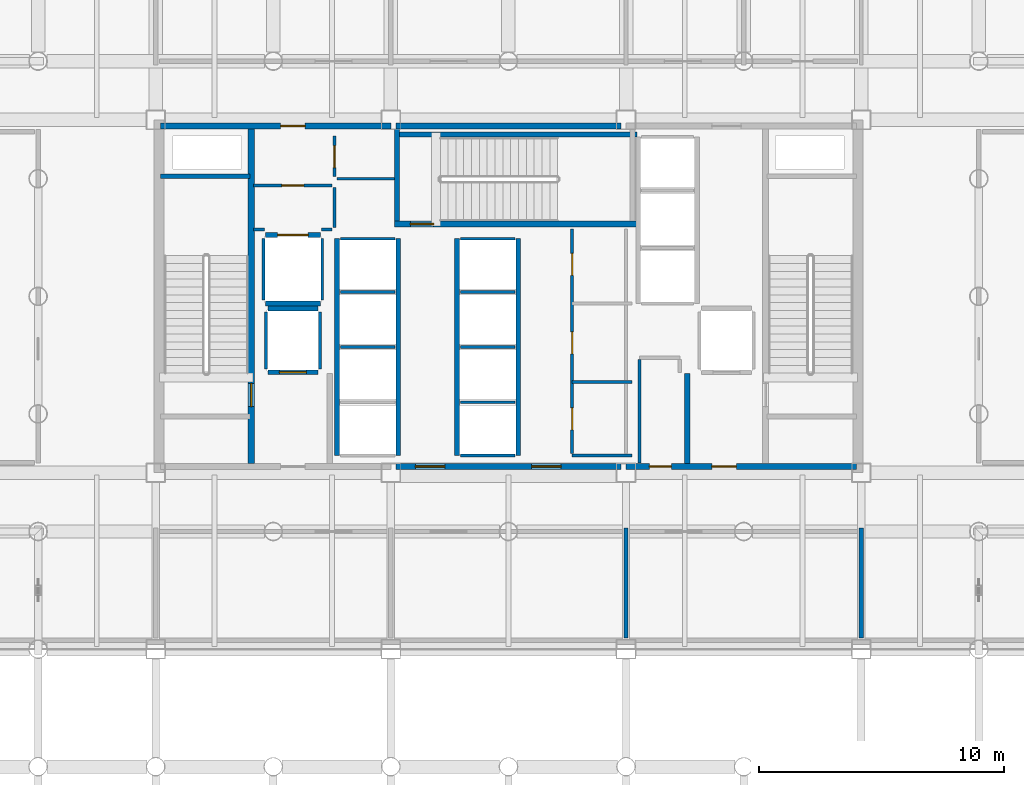
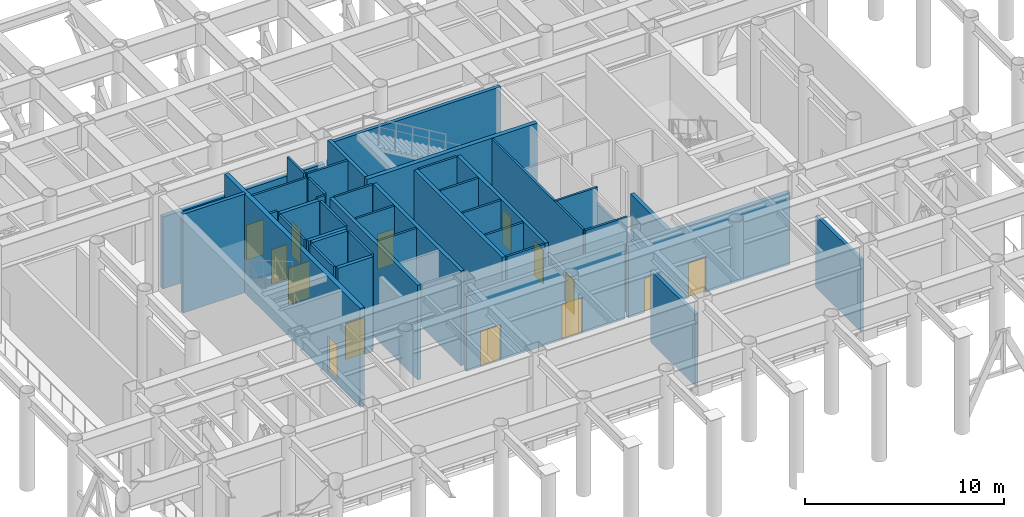
# One storey, part 13 of 19: 42 walls, 14 doors, 14 openings.
"""IFC4 building model written with IfcOpenShell, lengths in metres."""

from ifc_helpers import new_model, si_unit, direction, frame, frame_2d, origin, place, context, subcontext, project, spatial, rectangle, extrude, material, layer, layer_set, type_object, element, fill, save


model = new_model("IFC4")

# Units and contexts
model_context = context("Model", 3, precision=1e-05, world=origin(), true_north=direction((0.0, 1.0)))
body_context = subcontext(model_context, "Body", "Model", "MODEL_VIEW")
ifc_project = project(units=[si_unit("LENGTHUNIT", "METRE"), si_unit("AREAUNIT", "SQUARE_METRE"), si_unit("VOLUMEUNIT", "CUBIC_METRE"), si_unit("PLANEANGLEUNIT", "RADIAN"), si_unit("MASSUNIT", "GRAM", prefix="KILO")], contexts=[model_context])

# Site, building, storey
site_placement = place(None, origin())
site = spatial("IfcSite", under=ifc_project, at=site_placement, CompositionType="ELEMENT")
building_placement = place(site_placement, origin())
building = spatial("IfcBuilding", under=site, at=building_placement, Name="Kallvorn Hotel Tower", CompositionType="ELEMENT")
storey_placement = place(building_placement, frame((0.0, 0.0, 89.199951171875)))
storey = spatial("IfcBuildingStorey", under=building, at=storey_placement, Name="L21", CompositionType="ELEMENT", Elevation=89.199951171875)

# Walls
ifc_material_1 = material(Name="Fire-rated double-layer acoustic gypsum drywall EI 60")
ifc_layer_1 = layer(ifc_material_1, 0.179931640625)
ifc_layer_set_1 = layer_set([ifc_layer_1], Name="WL_CORR_180")
wall_type_1 = type_object("IfcWallType", Name="WL_CORR_180", PredefinedType="PARTITIONING", material=ifc_layer_set_1)
for number, where, z_axis, x_axis, name in (
    (1, (4.800048828125, -13.945068359375, 0.0), (0.0, 0.0, 1.0), (0.0, 1.0, 0.0), "L21 L21 Air Handling and Ventilation Fan Plant Partition"),
    (2, (14.39990234375, -13.945068359375, 0.0), (0.0, 0.0, 1.0), (0.0, 1.0, 0.0), "L21 L21 Chilled-Water Heat Exchanger Plant Partition"),
):
    element("IfcWall", number, at=place(storey_placement, frame(where, z_axis=z_axis, x_axis=x_axis)), inside=storey, type_object=wall_type_1, Name=name, PredefinedType="PARTITIONING", context=body_context, shape_type="SweptSolid", body=[
        extrude(rectangle(XDim=4.4951171875, YDim=0.179931640625, at=frame_2d((2.24755859375, 0.0))), origin(), (0.0, 0.0, 1.0), 4.420166015625),
    ])
ifc_material_2 = material(Name="Concrete C40/50", Category="concrete")
ifc_layer_2 = layer(ifc_material_2, 0.219970703125)
ifc_layer_set_2 = layer_set([ifc_layer_2], Name="WL_FFL_220")
wall_type_2 = type_object("IfcWallType", Name="WL_FFL_220", PredefinedType="SOLIDWALL", material=ifc_layer_set_2)
wall_1_placement = place(storey_placement, frame((7.300048828125, -6.820068359375, 0.0), z_axis=(0.0, 0.0, 1.0), x_axis=(0.0, 1.0, 0.0)))
element("IfcWall", 3, at=wall_1_placement, inside=storey, type_object=wall_type_2, Name="L21 Firefighting Lobby East Divider Wall", PredefinedType="SOLIDWALL", context=body_context, shape_type="SweptSolid", body=[
    extrude(rectangle(XDim=3.670166015625, YDim=0.219970703125, at=frame_2d((1.8349609375, 0.0))), origin(), (0.0, 0.0, 1.0), 4.420166015625),
])
ifc_material_3 = material(Name="Concrete C40/50", Category="concrete")
ifc_layer_3 = layer(ifc_material_3, 0.199951171875)
ifc_layer_set_3 = layer_set([ifc_layer_3], Name="WL_HOIST_200")
wall_type_3 = type_object("IfcWallType", Name="WL_HOIST_200", PredefinedType="SOLIDWALL", material=ifc_layer_set_3)
wall_2_placement = place(storey_placement, frame((-14.199951171875, 4.89990234375, -0.25), z_axis=(0.0, 0.0, 1.0), x_axis=(1.0, 0.0, 0.0)))
element("IfcWall", 4, at=wall_2_placement, inside=storey, type_object=wall_type_3, Name="L21 Stair ST1 North Wall", PredefinedType="SOLIDWALL", context=body_context, shape_type="SweptSolid", body=[
    extrude(rectangle(XDim=3.64990234375, YDim=0.199951171875, at=frame_2d((1.824951171875, 0.0))), origin(), (0.0, 0.0, 1.0), 6.070068359375),
])
wall_3_placement = place(storey_placement, frame((-4.64990234375, 6.610107421875, -0.25), z_axis=(0.0, 0.0, 1.0), x_axis=(1.0, 0.0, 0.0)))
element("IfcWall", 5, at=wall_3_placement, inside=storey, type_object=wall_type_3, Name="L21 Stair ST3 Shaft North Wall", PredefinedType="SOLIDWALL", context=body_context, shape_type="SweptSolid", body=[
    extrude(rectangle(XDim=9.89990234375, YDim=0.199951171875, at=frame_2d((4.949951171875, 0.0))), origin(), (0.0, 0.0, 1.0), 6.070068359375),
])
wall_4_placement = place(storey_placement, frame((-4.550048828125, 3.080078125, -0.25), z_axis=(0.0, 0.0, 1.0), x_axis=(0.0, 1.0, 0.0)))
element("IfcWall", 6, at=wall_4_placement, inside=storey, type_object=wall_type_3, Name="L21 Stair ST3 West Wall", PredefinedType="SOLIDWALL", context=body_context, shape_type="SweptSolid", body=[
    extrude(rectangle(XDim=3.739990234375, YDim=0.199951171875, at=frame_2d((1.8701171875, 0.0))), origin(), (0.0, 0.0, 1.0), 6.070068359375),
])
for number, where, z_axis, x_axis, name in (
    (7, (-4.5, -6.5, 0.0), (0.0, 0.0, 1.0), (0.0, 1.0, 0.0), "L21 Lift Bank B1 Landing Wall"),
    (8, (-7.0, -6.5, 0.0), (0.0, 0.0, 1.0), (0.0, 1.0, 0.0), "L21 Lift Bank B1 Rear Shaft Wall"),
    (9, (-2.10009765625, -6.5, 0.0), (0.0, 0.0, 1.0), (0.0, 1.0, 0.0), "L21 Lift Bank B2 Landing Wall"),
    (10, (0.39990234375, -6.5, 0.0), (0.0, 0.0, 1.0), (0.0, 1.0, 0.0), "L21 Lift Bank B2 Rear Shaft Wall"),
):
    element("IfcWall", number, at=place(storey_placement, frame(where, z_axis=z_axis, x_axis=x_axis)), inside=storey, type_object=wall_type_3, Name=name, PredefinedType="SOLIDWALL", context=body_context, shape_type="SweptSolid", body=[
        extrude(rectangle(XDim=8.85009765625, YDim=0.199951171875, at=frame_2d((4.425048828125, 0.0))), origin(), (0.0, 0.0, 1.0), 5.820068359375),
    ])

# Wall, opening, door
wall_5_placement = place(storey_placement, frame((-9.820068359375, -3.10009765625, 0.0), z_axis=(0.0, 0.0, 1.0), x_axis=(1.0, 0.0, 0.0)))
wall_5 = element("IfcWall", 11, at=wall_5_placement, inside=storey, type_object=wall_type_3, Name="L21 FL-1 Landing Wall", PredefinedType="SOLIDWALL", context=body_context, shape_type="SweptSolid", body=[
    extrude(rectangle(XDim=2.0400390625, YDim=0.199951171875, at=frame_2d((1.02001953125, 0.0))), origin(), (0.0, 0.0, 1.0), 5.820068359375),
])
opening_1_placement = place(wall_5_placement, frame((0.469970703125, 0.0, 0.0)))
opening_1 = element("IfcOpeningElement", 12, at=opening_1_placement, cuts=wall_5, Name="Opening LD-FL-1", PredefinedType="OPENING", context=body_context, shape_type="SweptSolid", body=[
    extrude(rectangle(XDim=1.10009765625, YDim=2.199951171875, at=frame_2d((0.550048828125, 1.10009765625))), frame((0.0, 0.114990234375, 0.0), z_axis=(0.0, -1.0, 0.0), x_axis=(1.0, 0.0, 0.0)), (0.0, 0.0, 1.0), 0.22998046875),
])
ifc_material_4 = material(Name="Brushed stainless-steel automatic sliding lift landing door", Category="steel")
door_type_1 = type_object("IfcDoorType", Name="LD_PASS_1100x2200", OperationType="SLIDING_TO_LEFT", PredefinedType="DOOR", material=ifc_material_4)
door_1_placement = place(opening_1_placement, origin())
door_1 = element("IfcDoor", 13, at=door_1_placement, inside=storey, type_object=door_type_1, Name="L21 Lift Landing Sliding Door LD-FL-1", OperationType="SLIDING_TO_LEFT", OverallHeight=2.199951171875, OverallWidth=1.10009765625, PredefinedType="DOOR", context=body_context, shape_type="SweptSolid", body=[
    extrude(rectangle(XDim=1.10009765625, YDim=2.199951171875, at=frame_2d((0.550048828125, 1.10009765625))), frame((0.0, 0.02490234375, 0.0), z_axis=(0.0, -1.0, 0.0), x_axis=(1.0, 0.0, 0.0)), (0.0, 0.0, 1.0), 0.050048828125),
])
fill(opening_1, door_1)

# Wall
wall_6_placement = place(storey_placement, frame((-9.820068359375, -0.5, 0.0), z_axis=(0.0, 0.0, 1.0), x_axis=(1.0, 0.0, 0.0)))
element("IfcWall", 14, at=wall_6_placement, inside=storey, type_object=wall_type_3, Name="L21 FL-1 Rear Shaft Wall", PredefinedType="SOLIDWALL", context=body_context, shape_type="SweptSolid", body=[
    extrude(rectangle(XDim=2.0400390625, YDim=0.199951171875, at=frame_2d((1.02001953125, 0.0))), origin(), (0.0, 0.0, 1.0), 5.820068359375),
])

# Wall, opening, door
wall_7_placement = place(storey_placement, frame((-9.919921875, 2.5, 0.0), z_axis=(0.0, 0.0, 1.0), x_axis=(1.0, 0.0, 0.0)))
wall_7 = element("IfcWall", 15, at=wall_7_placement, inside=storey, type_object=wall_type_3, Name="L21 SV-01 Landing Wall", PredefinedType="SOLIDWALL", context=body_context, shape_type="SweptSolid", body=[
    extrude(rectangle(XDim=2.239990234375, YDim=0.199951171875, at=frame_2d((1.1201171875, 0.0))), origin(), (0.0, 0.0, 1.0), 5.820068359375),
])
opening_2_placement = place(wall_7_placement, frame((0.4951171875, 0.0, 0.0)))
opening_2 = element("IfcOpeningElement", 16, at=opening_2_placement, cuts=wall_7, Name="Opening LD-SV-01", PredefinedType="OPENING", context=body_context, shape_type="SweptSolid", body=[
    extrude(rectangle(XDim=1.25, YDim=2.25, at=frame_2d((0.625, 1.125))), frame((0.0, 0.114990234375, 0.0), z_axis=(0.0, -1.0, 0.0), x_axis=(1.0, 0.0, 0.0)), (0.0, 0.0, 1.0), 0.22998046875),
])
ifc_material_5 = material(Name="Brushed stainless-steel automatic sliding lift landing door", Category="steel")
door_type_2 = type_object("IfcDoorType", Name="LD_SERV_1250x2250", OperationType="SLIDING_TO_LEFT", PredefinedType="DOOR", material=ifc_material_5)
door_2_placement = place(opening_2_placement, origin())
door_2 = element("IfcDoor", 17, at=door_2_placement, inside=storey, type_object=door_type_2, Name="L21 Lift Landing Sliding Door LD-SV-01", OperationType="SLIDING_TO_LEFT", OverallHeight=2.25, OverallWidth=1.25, PredefinedType="DOOR", context=body_context, shape_type="SweptSolid", body=[
    extrude(rectangle(XDim=1.25, YDim=2.25, at=frame_2d((0.625, 1.125))), frame((0.0, 0.02490234375, 0.0), z_axis=(0.0, -1.0, 0.0), x_axis=(1.0, 0.0, 0.0)), (0.0, 0.0, 1.0), 0.050048828125),
])
fill(opening_2, door_2)

# Walls
wall_8_placement = place(storey_placement, frame((-9.919921875, -0.300048828125, 0.0), z_axis=(0.0, 0.0, 1.0), x_axis=(1.0, 0.0, 0.0)))
element("IfcWall", 18, at=wall_8_placement, inside=storey, type_object=wall_type_3, Name="L21 SV-01 Rear Shaft Wall", PredefinedType="SOLIDWALL", context=body_context, shape_type="SweptSolid", body=[
    extrude(rectangle(XDim=2.239990234375, YDim=0.199951171875, at=frame_2d((1.1201171875, 0.0))), origin(), (0.0, 0.0, 1.0), 5.820068359375),
])
ifc_material_6 = material(Name="Fire-rated double-layer acoustic gypsum drywall EI 60")
ifc_layer_4 = layer(ifc_material_6, 0.1201171875)
ifc_layer_set_4 = layer_set([ifc_layer_4], Name="WL_INT_120")
wall_type_4 = type_object("IfcWallType", Name="WL_INT_120", PredefinedType="PARTITIONING", material=ifc_layer_set_4)
for number, where, z_axis, x_axis, name in (
    (19, (-6.860107421875, -2.074951171875, 0.0), (0.0, 0.0, 1.0), (1.0, 0.0, 0.0), "L21 PL-02 Hoistway Divider"),
    (20, (-6.860107421875, 0.175048828125, 0.0), (0.0, 0.0, 1.0), (1.0, 0.0, 0.0), "L21 PL-03 Hoistway Divider"),
    (21, (-6.860107421875, 2.35009765625, 0.0), (0.0, 0.0, 1.0), (1.0, 0.0, 0.0), "L21 PL-04 Hoistway Divider"),
):
    element("IfcWall", number, at=place(storey_placement, frame(where, z_axis=z_axis, x_axis=x_axis)), inside=storey, type_object=wall_type_4, Name=name, PredefinedType="PARTITIONING", context=body_context, shape_type="SweptSolid", body=[
        extrude(rectangle(XDim=2.22021484375, YDim=0.1201171875, at=frame_2d((1.110107421875, 0.0))), origin(), (0.0, 0.0, 1.0), 5.820068359375),
    ])
for number, where, z_axis, x_axis, name in (
    (22, (-1.9599609375, -6.5, 0.0), (0.0, 0.0, 1.0), (1.0, 0.0, 0.0), "L21 Lift Bank B2 South Closure Wall"),
    (23, (-1.9599609375, -4.324951171875, 0.0), (0.0, 0.0, 1.0), (1.0, 0.0, 0.0), "L21 PL-05 Hoistway Divider"),
    (24, (-1.9599609375, -2.074951171875, 0.0), (0.0, 0.0, 1.0), (1.0, 0.0, 0.0), "L21 PL-06 Hoistway Divider"),
    (25, (-1.9599609375, 0.175048828125, 0.0), (0.0, 0.0, 1.0), (1.0, 0.0, 0.0), "L21 PL-07 Hoistway Divider"),
    (26, (-1.9599609375, 2.35009765625, 0.0), (0.0, 0.0, 1.0), (1.0, 0.0, 0.0), "L21 PL-08 Hoistway Divider"),
):
    element("IfcWall", number, at=place(storey_placement, frame(where, z_axis=z_axis, x_axis=x_axis)), inside=storey, type_object=wall_type_4, Name=name, PredefinedType="PARTITIONING", context=body_context, shape_type="SweptSolid", body=[
        extrude(rectangle(XDim=2.219970703125, YDim=0.1201171875, at=frame_2d((1.10986328125, 0.0))), origin(), (0.0, 0.0, 1.0), 5.820068359375),
    ])
for number, where, z_axis, x_axis, name in (
    (27, (-9.89990234375, -2.9599609375, 0.0), (0.0, 0.0, 1.0), (0.0, 1.0, 0.0), "L21 FL-1 West Shaft Wall"),
    (28, (-7.699951171875, -2.9599609375, 0.0), (0.0, 0.0, 1.0), (0.0, 1.0, 0.0), "L21 FL-1 East Shaft Wall"),
):
    element("IfcWall", number, at=place(storey_placement, frame(where, z_axis=z_axis, x_axis=x_axis)), inside=storey, type_object=wall_type_4, Name=name, PredefinedType="PARTITIONING", context=body_context, shape_type="SweptSolid", body=[
        extrude(rectangle(XDim=2.320068359375, YDim=0.1201171875, at=frame_2d((1.16015625, 0.0))), origin(), (0.0, 0.0, 1.0), 5.820068359375),
    ])
for number, where, z_axis, x_axis, name in (
    (29, (-10.0, -0.159912109375, 0.0), (0.0, 0.0, 1.0), (0.0, 1.0, 0.0), "L21 SV-01 West Shaft Wall"),
    (30, (-7.60009765625, -0.159912109375, 0.0), (0.0, 0.0, 1.0), (0.0, 1.0, 0.0), "L21 SV-01 East Shaft Wall"),
):
    element("IfcWall", number, at=place(storey_placement, frame(where, z_axis=z_axis, x_axis=x_axis)), inside=storey, type_object=wall_type_4, Name=name, PredefinedType="PARTITIONING", context=body_context, shape_type="SweptSolid", body=[
        extrude(rectangle(XDim=2.52001953125, YDim=0.1201171875, at=frame_2d((1.260009765625, 0.0))), origin(), (0.0, 0.0, 1.0), 5.820068359375),
    ])
for number, where, z_axis, x_axis, name in (
    (31, (2.60009765625, -6.5, 0.0), (0.0, 0.0, 1.0), (1.0, 0.0, 0.0), "L21 East Core Minibar Store Partition"),
    (32, (2.60009765625, -3.5, 0.0), (0.0, 0.0, 1.0), (1.0, 0.0, 0.0), "L21 East Core Housekeeping Supply Closet Partition"),
):
    element("IfcWall", number, at=place(storey_placement, frame(where, z_axis=z_axis, x_axis=x_axis)), inside=storey, type_object=wall_type_4, Name=name, PredefinedType="PARTITIONING", context=body_context, shape_type="SweptSolid", body=[
        extrude(rectangle(XDim=2.449951171875, YDim=0.1201171875, at=frame_2d((1.22509765625, 0.0))), origin(), (0.0, 0.0, 1.0), 5.820068359375),
    ])
for number, where, z_axis, x_axis, name in (
    (33, (-10.39990234375, 2.72509765625, 0.0), (0.0, 0.0, 1.0), (1.0, 0.0, 0.0), "L21 Core Telecom and Metering Store Partition"),
    (34, (-7.639892578125, 2.72509765625, 0.0), (0.0, 0.0, 1.0), (1.0, 0.0, 0.0), "L21 Core Telecom and Metering Store Partition"),
):
    element("IfcWall", number, at=place(storey_placement, frame(where, z_axis=z_axis, x_axis=x_axis)), inside=storey, type_object=wall_type_4, Name=name, PredefinedType="PARTITIONING", context=body_context, shape_type="SweptSolid", body=[
        extrude(rectangle(XDim=0.43994140625, YDim=0.1201171875, at=frame_2d((0.219970703125, 0.0))), origin(), (0.0, 0.0, 1.0), 5.820068359375),
    ])

# Wall, opening, door
wall_9_placement = place(storey_placement, frame((-10.39990234375, 4.52001953125, 0.0), z_axis=(0.0, 0.0, 1.0), x_axis=(1.0, 0.0, 0.0)))
wall_9 = element("IfcWall", 35, at=wall_9_placement, inside=storey, type_object=wall_type_4, Name="L21 Core Telecom and Metering Store Partition", PredefinedType="PARTITIONING", context=body_context, shape_type="SweptSolid", body=[
    extrude(rectangle(XDim=3.199951171875, YDim=0.1201171875, at=frame_2d((1.60009765625, 0.0))), origin(), (0.0, 0.0, 1.0), 5.820068359375),
])
opening_3_placement = place(wall_9_placement, frame((1.14990234375, 0.0, 0.0)))
opening_3 = element("IfcOpeningElement", 36, at=opening_3_placement, cuts=wall_9, Name="Opening SVD1", PredefinedType="OPENING", context=body_context, shape_type="SweptSolid", body=[
    extrude(rectangle(XDim=0.89990234375, YDim=2.10009765625, at=frame_2d((0.449951171875, 1.050048828125))), frame((0.0, 0.074951171875, 0.0), z_axis=(0.0, -1.0, 0.0), x_axis=(1.0, 0.0, 0.0)), (0.0, 0.0, 1.0), 0.150146484375),
])
ifc_material_7 = material(Name="Galvanised painted steel fire-rated door assembly", Category="steel")
door_type_3 = type_object("IfcDoorType", Name="DR_SERV_900x2100", OperationType="NOTDEFINED", PredefinedType="DOOR", material=ifc_material_7)
door_3_placement = place(opening_3_placement, origin())
door_3 = element("IfcDoor", 37, at=door_3_placement, inside=storey, type_object=door_type_3, Name="L21 Core Telecom and Metering Store Door", OperationType="SINGLE_SWING_RIGHT", OverallHeight=2.10009765625, OverallWidth=0.89990234375, PredefinedType="DOOR", context=body_context, shape_type="SweptSolid", body=[
    extrude(rectangle(XDim=0.89990234375, YDim=2.10009765625, at=frame_2d((0.449951171875, 1.050048828125))), frame((0.0, 0.02490234375, 0.0), z_axis=(0.0, -1.0, 0.0), x_axis=(1.0, 0.0, 0.0)), (0.0, 0.0, 1.0), 0.050048828125),
])
fill(opening_3, door_3)

# Walls
wall_10_placement = place(storey_placement, frame((-7.0, 4.800048828125, 0.0), z_axis=(0.0, 0.0, 1.0), x_axis=(1.0, 0.0, 0.0)))
element("IfcWall", 38, at=wall_10_placement, inside=storey, type_object=wall_type_4, Name="L21 Core Room Service Staging Pantry Partition", PredefinedType="PARTITIONING", context=body_context, shape_type="SweptSolid", body=[
    extrude(rectangle(XDim=2.35009765625, YDim=0.1201171875, at=frame_2d((1.175048828125, 0.0))), origin(), (0.0, 0.0, 1.0), 5.820068359375),
])
wall_11_placement = place(storey_placement, frame((-7.10009765625, 2.81005859375, 0.0), z_axis=(0.0, 0.0, 1.0), x_axis=(0.0, 1.0, 0.0)))
element("IfcWall", 39, at=wall_11_placement, inside=storey, type_object=wall_type_4, Name="L21 Core Telecom and Metering Store Partition", PredefinedType="PARTITIONING", context=body_context, shape_type="SweptSolid", body=[
    extrude(rectangle(XDim=1.625, YDim=0.1201171875, at=frame_2d((0.8125, 0.0))), origin(), (0.0, 0.0, 1.0), 5.820068359375),
])

# Wall, opening, door
wall_12_placement = place(storey_placement, frame((-7.10009765625, 4.89990234375, 0.0), z_axis=(0.0, 0.0, 1.0), x_axis=(0.0, 1.0, 0.0)))
wall_12 = element("IfcWall", 40, at=wall_12_placement, inside=storey, type_object=wall_type_4, Name="L21 Core Room Service Staging Pantry Partition", PredefinedType="PARTITIONING", context=body_context, shape_type="SweptSolid", body=[
    extrude(rectangle(XDim=1.650146484375, YDim=0.1201171875, at=frame_2d((0.8251953125, 0.0))), origin(), (0.0, 0.0, 1.0), 5.820068359375),
])
opening_4_placement = place(wall_12_placement, frame((0.35009765625, 0.0, 0.0)))
opening_4 = element("IfcOpeningElement", 41, at=opening_4_placement, cuts=wall_12, Name="Opening SVD1", PredefinedType="OPENING", context=body_context, shape_type="SweptSolid", body=[
    extrude(rectangle(XDim=0.89990234375, YDim=2.10009765625, at=frame_2d((0.449951171875, 1.050048828125))), frame((0.0, 0.074951171875, 0.0), z_axis=(0.0, -1.0, 0.0), x_axis=(1.0, 0.0, 0.0)), (0.0, 0.0, 1.0), 0.150146484375),
])
door_4_placement = place(opening_4_placement, origin())
door_4 = element("IfcDoor", 42, at=door_4_placement, inside=storey, type_object=door_type_3, Name="L21 Core Room Service Staging Pantry Door", OperationType="SINGLE_SWING_RIGHT", OverallHeight=2.10009765625, OverallWidth=0.89990234375, PredefinedType="DOOR", context=body_context, shape_type="SweptSolid", body=[
    extrude(rectangle(XDim=0.89990234375, YDim=2.10009765625, at=frame_2d((0.449951171875, 1.050048828125))), frame((0.0, 0.02490234375, 0.0), z_axis=(0.0, -1.0, 0.0), x_axis=(1.0, 0.0, 0.0)), (0.0, 0.0, 1.0), 0.050048828125),
])
fill(opening_4, door_4)

# Wall, openings, doors
wall_13_placement = place(storey_placement, frame((2.60009765625, -6.4150390625, 0.0), z_axis=(0.0, 0.0, 1.0), x_axis=(0.0, 1.0, 0.0)))
wall_13 = element("IfcWall", 43, at=wall_13_placement, inside=storey, type_object=wall_type_4, Name="L21 East Core Minibar Store Partition", PredefinedType="PARTITIONING", context=body_context, shape_type="SweptSolid", body=[
    extrude(rectangle(XDim=9.1650390625, YDim=0.1201171875, at=frame_2d((4.58251953125, 0.0))), origin(), (0.0, 0.0, 1.0), 5.820068359375),
])
opening_5_placement = place(wall_13_placement, frame((0.965087890625, 0.0, 0.0)))
opening_5 = element("IfcOpeningElement", 44, at=opening_5_placement, cuts=wall_13, Name="Opening SVD1", PredefinedType="OPENING", context=body_context, shape_type="SweptSolid", body=[
    extrude(rectangle(XDim=0.89990234375, YDim=2.10009765625, at=frame_2d((0.449951171875, 1.050048828125))), frame((0.0, 0.074951171875, 0.0), z_axis=(0.0, -1.0, 0.0), x_axis=(1.0, 0.0, 0.0)), (0.0, 0.0, 1.0), 0.150146484375),
])
opening_6_placement = place(wall_13_placement, frame((4.06494140625, 0.0, 0.0)))
opening_6 = element("IfcOpeningElement", 45, at=opening_6_placement, cuts=wall_13, Name="Opening SVD1", PredefinedType="OPENING", context=body_context, shape_type="SweptSolid", body=[
    extrude(rectangle(XDim=0.89990234375, YDim=2.10009765625, at=frame_2d((0.449951171875, 1.050048828125))), frame((0.0, 0.074951171875, 0.0), z_axis=(0.0, -1.0, 0.0), x_axis=(1.0, 0.0, 0.0)), (0.0, 0.0, 1.0), 0.150146484375),
])
opening_7_placement = place(wall_13_placement, frame((7.264892578125, 0.0, 0.0)))
opening_7 = element("IfcOpeningElement", 46, at=opening_7_placement, cuts=wall_13, Name="Opening SVD1", PredefinedType="OPENING", context=body_context, shape_type="SweptSolid", body=[
    extrude(rectangle(XDim=0.89990234375, YDim=2.10009765625, at=frame_2d((0.449951171875, 1.050048828125))), frame((0.0, 0.074951171875, 0.0), z_axis=(0.0, -1.0, 0.0), x_axis=(1.0, 0.0, 0.0)), (0.0, 0.0, 1.0), 0.150146484375),
])
door_5_placement = place(opening_5_placement, origin())
door_5 = element("IfcDoor", 47, at=door_5_placement, inside=storey, type_object=door_type_3, Name="L21 East Core Minibar Store Door", OperationType="SINGLE_SWING_LEFT", OverallHeight=2.10009765625, OverallWidth=0.89990234375, PredefinedType="DOOR", context=body_context, shape_type="SweptSolid", body=[
    extrude(rectangle(XDim=0.89990234375, YDim=2.10009765625, at=frame_2d((0.449951171875, 1.050048828125))), frame((0.0, 0.02490234375, 0.0), z_axis=(0.0, -1.0, 0.0), x_axis=(1.0, 0.0, 0.0)), (0.0, 0.0, 1.0), 0.050048828125),
])
fill(opening_5, door_5)
door_6_placement = place(opening_6_placement, origin())
door_6 = element("IfcDoor", 48, at=door_6_placement, inside=storey, type_object=door_type_3, Name="L21 East Core Housekeeping Supply Closet Door", OperationType="SINGLE_SWING_LEFT", OverallHeight=2.10009765625, OverallWidth=0.89990234375, PredefinedType="DOOR", context=body_context, shape_type="SweptSolid", body=[
    extrude(rectangle(XDim=0.89990234375, YDim=2.10009765625, at=frame_2d((0.449951171875, 1.050048828125))), frame((0.0, 0.02490234375, 0.0), z_axis=(0.0, -1.0, 0.0), x_axis=(1.0, 0.0, 0.0)), (0.0, 0.0, 1.0), 0.050048828125),
])
fill(opening_6, door_6)
door_7_placement = place(opening_7_placement, origin())
door_7 = element("IfcDoor", 49, at=door_7_placement, inside=storey, type_object=door_type_3, Name="L21 East Core Cleaners Room Door", OperationType="SINGLE_SWING_LEFT", OverallHeight=2.10009765625, OverallWidth=0.89990234375, PredefinedType="DOOR", context=body_context, shape_type="SweptSolid", body=[
    extrude(rectangle(XDim=0.89990234375, YDim=2.10009765625, at=frame_2d((0.449951171875, 1.050048828125))), frame((0.0, 0.02490234375, 0.0), z_axis=(0.0, -1.0, 0.0), x_axis=(1.0, 0.0, 0.0)), (0.0, 0.0, 1.0), 0.050048828125),
])
fill(opening_7, door_7)

# Wall
ifc_material_8 = material(Name="Moisture-resistant acoustic plumbing chase wall EI 60")
ifc_layer_5 = layer(ifc_material_8, 0.139892578125)
ifc_layer_set_5 = layer_set([ifc_layer_5], Name="WL_PLUMB_140")
wall_type_5 = type_object("IfcWallType", Name="WL_PLUMB_140", PredefinedType="PLUMBINGWALL", material=ifc_layer_set_5)
wall_14_placement = place(storey_placement, frame((5.35009765625, -6.800048828125, 0.0), z_axis=(0.0, 0.0, 1.0), x_axis=(0.0, 1.0, 0.0)))
element("IfcWall", 50, at=wall_14_placement, inside=storey, type_object=wall_type_5, Name="L21 Core Accessible Staff WC Partition", PredefinedType="PLUMBINGWALL", context=body_context, shape_type="SweptSolid", body=[
    extrude(rectangle(XDim=4.215087890625, YDim=0.139892578125, at=frame_2d((2.107421875, 0.0))), origin(), (0.0, 0.0, 1.0), 4.420166015625),
])

# Wall, openings, doors
ifc_material_9 = material(Name="Concrete C40/50", Category="concrete")
ifc_layer_6 = layer(ifc_material_9, 0.25)
ifc_layer_set_6 = layer_set([ifc_layer_6], Name="WL_SHAFT_250")
wall_type_6 = type_object("IfcWallType", Name="WL_SHAFT_250", PredefinedType="SOLIDWALL", material=ifc_layer_set_6)
wall_15_placement = place(storey_placement, frame((-4.60009765625, -6.949951171875, 0.0), z_axis=(0.0, 0.0, 1.0), x_axis=(1.0, 0.0, 0.0)))
wall_15 = element("IfcWall", 51, at=wall_15_placement, inside=storey, type_object=wall_type_6, Name="L21 Core South-Central Wall", PredefinedType="SOLIDWALL", context=body_context, shape_type="SweptSolid", body=[
    extrude(rectangle(XDim=9.2001953125, YDim=0.25, at=frame_2d((4.60009765625, 0.0))), origin(), (0.0, 0.0, 1.0), 4.6201171875),
])
opening_8_placement = place(wall_15_placement, frame((0.800048828125, 0.0, 0.0)))
opening_8 = element("IfcOpeningElement", 52, at=opening_8_placement, cuts=wall_15, Name="Opening FD2", PredefinedType="OPENING", context=body_context, shape_type="SweptSolid", body=[
    extrude(rectangle(XDim=1.199951171875, YDim=2.199951171875, at=frame_2d((0.60009765625, 1.10009765625))), frame((0.0, 0.139892578125, 0.0), z_axis=(0.0, -1.0, 0.0), x_axis=(1.0, 0.0, 0.0)), (0.0, 0.0, 1.0), 0.280029296875),
])
opening_9_placement = place(wall_15_placement, frame((5.550048828125, 0.0, 0.0)))
opening_9 = element("IfcOpeningElement", 53, at=opening_9_placement, cuts=wall_15, Name="Opening FD2", PredefinedType="OPENING", context=body_context, shape_type="SweptSolid", body=[
    extrude(rectangle(XDim=1.199951171875, YDim=2.199951171875, at=frame_2d((0.60009765625, 1.10009765625))), frame((0.0, 0.139892578125, 0.0), z_axis=(0.0, -1.0, 0.0), x_axis=(1.0, 0.0, 0.0)), (0.0, 0.0, 1.0), 0.280029296875),
])
ifc_material_10 = material(Name="Galvanised painted steel fire-rated door assembly", Category="steel")
door_type_4 = type_object("IfcDoorType", Name="DR_LOBBY_1200x2200", OperationType="DOUBLE_DOOR_SINGLE_SWING", PredefinedType="DOOR", material=ifc_material_10)
door_8_placement = place(opening_8_placement, origin())
door_8 = element("IfcDoor", 54, at=door_8_placement, inside=storey, type_object=door_type_4, Name="L21 West Passenger Lift Lobby Door", OperationType="DOUBLE_DOOR_SINGLE_SWING", OverallHeight=2.199951171875, OverallWidth=1.199951171875, PredefinedType="DOOR", context=body_context, shape_type="SweptSolid", body=[
    extrude(rectangle(XDim=1.199951171875, YDim=2.199951171875, at=frame_2d((0.60009765625, 1.10009765625))), frame((0.0, 0.02490234375, 0.0), z_axis=(0.0, -1.0, 0.0), x_axis=(1.0, 0.0, 0.0)), (0.0, 0.0, 1.0), 0.050048828125),
])
fill(opening_8, door_8)
door_9_placement = place(opening_9_placement, origin())
door_9 = element("IfcDoor", 55, at=door_9_placement, inside=storey, type_object=door_type_4, Name="L21 East Passenger Lift Lobby Door", OperationType="DOUBLE_DOOR_SINGLE_SWING", OverallHeight=2.199951171875, OverallWidth=1.199951171875, PredefinedType="DOOR", context=body_context, shape_type="SweptSolid", body=[
    extrude(rectangle(XDim=1.199951171875, YDim=2.199951171875, at=frame_2d((0.60009765625, 1.10009765625))), frame((0.0, 0.02490234375, 0.0), z_axis=(0.0, -1.0, 0.0), x_axis=(1.0, 0.0, 0.0)), (0.0, 0.0, 1.0), 0.050048828125),
])
fill(opening_9, door_9)

wall_16_placement = place(storey_placement, frame((4.800048828125, -6.949951171875, 0.0), z_axis=(0.0, 0.0, 1.0), x_axis=(1.0, 0.0, 0.0)))
wall_16 = element("IfcWall", 56, at=wall_16_placement, inside=storey, type_object=wall_type_6, Name="L21 Core South-East Wall", PredefinedType="SOLIDWALL", context=body_context, shape_type="SweptSolid", body=[
    extrude(rectangle(XDim=9.39990234375, YDim=0.25, at=frame_2d((4.699951171875, 0.0))), origin(), (0.0, 0.0, 1.0), 4.420166015625),
])
opening_10_placement = place(wall_16_placement, frame((3.5, 0.0, 0.0)))
opening_10 = element("IfcOpeningElement", 57, at=opening_10_placement, cuts=wall_16, Name="Opening FD1", PredefinedType="OPENING", context=body_context, shape_type="SweptSolid", body=[
    extrude(rectangle(XDim=1.0, YDim=2.14990234375, at=frame_2d((0.5, 1.074951171875))), frame((0.0, 0.139892578125, 0.0), z_axis=(0.0, -1.0, 0.0), x_axis=(1.0, 0.0, 0.0)), (0.0, 0.0, 1.0), 0.280029296875),
])
opening_11_placement = place(wall_16_placement, frame((0.949951171875, 0.0, 0.0)))
opening_11 = element("IfcOpeningElement", 58, at=opening_11_placement, cuts=wall_16, Name="Opening SVD1", PredefinedType="OPENING", context=body_context, shape_type="SweptSolid", body=[
    extrude(rectangle(XDim=0.89990234375, YDim=2.10009765625, at=frame_2d((0.449951171875, 1.050048828125))), frame((0.0, 0.139892578125, 0.0), z_axis=(0.0, -1.0, 0.0), x_axis=(1.0, 0.0, 0.0)), (0.0, 0.0, 1.0), 0.280029296875),
])
ifc_material_11 = material(Name="Galvanised painted steel fire-rated door assembly", Category="steel")
door_type_5 = type_object("IfcDoorType", Name="DR_FFL_1000x2150", OperationType="NOTDEFINED", PredefinedType="DOOR", material=ifc_material_11)
door_10_placement = place(opening_10_placement, origin())
door_10 = element("IfcDoor", 59, at=door_10_placement, inside=storey, type_object=door_type_5, Name="L21 Firefighting Lobby East Door", OperationType="SINGLE_SWING_LEFT", OverallHeight=2.14990234375, OverallWidth=1.0, PredefinedType="DOOR", context=body_context, shape_type="SweptSolid", body=[
    extrude(rectangle(XDim=1.0, YDim=2.14990234375, at=frame_2d((0.5, 1.074951171875))), frame((0.0, 0.02490234375, 0.0), z_axis=(0.0, -1.0, 0.0), x_axis=(1.0, 0.0, 0.0)), (0.0, 0.0, 1.0), 0.050048828125),
])
fill(opening_10, door_10)
door_11_placement = place(opening_11_placement, origin())
door_11 = element("IfcDoor", 60, at=door_11_placement, inside=storey, type_object=door_type_3, Name="L21 Core Accessible Staff WC Door", OperationType="SINGLE_SWING_RIGHT", OverallHeight=2.10009765625, OverallWidth=0.89990234375, PredefinedType="DOOR", context=body_context, shape_type="SweptSolid", body=[
    extrude(rectangle(XDim=0.89990234375, YDim=2.10009765625, at=frame_2d((0.449951171875, 1.050048828125))), frame((0.0, 0.02490234375, 0.0), z_axis=(0.0, -1.0, 0.0), x_axis=(1.0, 0.0, 0.0)), (0.0, 0.0, 1.0), 0.050048828125),
])
fill(opening_11, door_11)

# Wall, opening, door
wall_17_placement = place(storey_placement, frame((-14.199951171875, 6.949951171875, 0.0), z_axis=(0.0, 0.0, 1.0), x_axis=(1.0, 0.0, 0.0)))
wall_17 = element("IfcWall", 61, at=wall_17_placement, inside=storey, type_object=wall_type_6, Name="L21 Core North-West Wall", PredefinedType="SOLIDWALL", context=body_context, shape_type="SweptSolid", body=[
    extrude(rectangle(XDim=9.39990234375, YDim=0.25, at=frame_2d((4.699951171875, 0.0))), origin(), (0.0, 0.0, 1.0), 4.420166015625),
])
opening_12_placement = place(wall_17_placement, frame((4.89990234375, 0.0, 0.0)))
opening_12 = element("IfcOpeningElement", 62, at=opening_12_placement, cuts=wall_17, Name="Opening FD1", PredefinedType="OPENING", context=body_context, shape_type="SweptSolid", body=[
    extrude(rectangle(XDim=1.0, YDim=2.14990234375, at=frame_2d((0.5, 1.074951171875))), frame((0.0, 0.139892578125, 0.0), z_axis=(0.0, -1.0, 0.0), x_axis=(1.0, 0.0, 0.0)), (0.0, 0.0, 1.0), 0.280029296875),
])
door_12_placement = place(opening_12_placement, origin())
door_12 = element("IfcDoor", 63, at=door_12_placement, inside=storey, type_object=door_type_5, Name="L21 Service Lift Lobby Door", OperationType="SINGLE_SWING_RIGHT", OverallHeight=2.14990234375, OverallWidth=1.0, PredefinedType="DOOR", context=body_context, shape_type="SweptSolid", body=[
    extrude(rectangle(XDim=1.0, YDim=2.14990234375, at=frame_2d((0.5, 1.074951171875))), frame((0.0, 0.02490234375, 0.0), z_axis=(0.0, -1.0, 0.0), x_axis=(1.0, 0.0, 0.0)), (0.0, 0.0, 1.0), 0.050048828125),
])
fill(opening_12, door_12)

# Wall
wall_18_placement = place(storey_placement, frame((-4.60009765625, 6.949951171875, 0.0), z_axis=(0.0, 0.0, 1.0), x_axis=(1.0, 0.0, 0.0)))
element("IfcWall", 64, at=wall_18_placement, inside=storey, type_object=wall_type_6, Name="L21 Core North-Central Wall", PredefinedType="SOLIDWALL", context=body_context, shape_type="SweptSolid", body=[
    extrude(rectangle(XDim=9.2001953125, YDim=0.25, at=frame_2d((4.60009765625, 0.0))), origin(), (0.0, 0.0, 1.0), 4.420166015625),
])

# Wall, opening, door
wall_19_placement = place(storey_placement, frame((-10.5, -6.820068359375, -0.25), z_axis=(0.0, 0.0, 1.0), x_axis=(0.0, 1.0, 0.0)))
wall_19 = element("IfcWall", 65, at=wall_19_placement, inside=storey, type_object=wall_type_6, Name="L21 Stair ST1 Shaft Wall", PredefinedType="SOLIDWALL", context=body_context, shape_type="SweptSolid", body=[
    extrude(rectangle(XDim=13.64013671875, YDim=0.25, at=frame_2d((6.820068359375, 0.0))), origin(), (0.0, 0.0, 1.0), 6.070068359375),
])
opening_13_placement = place(wall_19_placement, frame((2.320068359375, 0.0, 0.25)))
opening_13 = element("IfcOpeningElement", 66, at=opening_13_placement, cuts=wall_19, Name="Opening SD1", PredefinedType="OPENING", context=body_context, shape_type="SweptSolid", body=[
    extrude(rectangle(XDim=0.949951171875, YDim=2.14990234375, at=frame_2d((0.47509765625, 1.074951171875))), frame((0.0, 0.139892578125, 0.0), z_axis=(0.0, -1.0, 0.0), x_axis=(1.0, 0.0, 0.0)), (0.0, 0.0, 1.0), 0.280029296875),
])
ifc_material_12 = material(Name="Galvanised painted steel fire-rated door assembly", Category="steel")
door_type_6 = type_object("IfcDoorType", Name="DR_STAIR_950x2150", OperationType="NOTDEFINED", PredefinedType="DOOR", material=ifc_material_12)
door_13_placement = place(opening_13_placement, origin())
door_13 = element("IfcDoor", 67, at=door_13_placement, inside=storey, type_object=door_type_6, Name="L21 Exit Stair ST1 Fire Door", OperationType="SINGLE_SWING_LEFT", OverallHeight=2.14990234375, OverallWidth=0.949951171875, PredefinedType="DOOR", context=body_context, shape_type="SweptSolid", body=[
    extrude(rectangle(XDim=0.949951171875, YDim=2.14990234375, at=frame_2d((0.47509765625, 1.074951171875))), frame((0.0, 0.02490234375, 0.0), z_axis=(0.0, -1.0, 0.0), x_axis=(1.0, 0.0, 0.0)), (0.0, 0.0, 1.0), 0.050048828125),
])
fill(opening_13, door_13)

wall_20_placement = place(storey_placement, frame((-4.64990234375, 2.949951171875, -0.25), z_axis=(0.0, 0.0, 1.0), x_axis=(1.0, 0.0, 0.0)))
wall_20 = element("IfcWall", 68, at=wall_20_placement, inside=storey, type_object=wall_type_6, Name="L21 Stair ST3 Shaft South Wall", PredefinedType="SOLIDWALL", context=body_context, shape_type="SweptSolid", body=[
    extrude(rectangle(XDim=9.89990234375, YDim=0.25, at=frame_2d((4.949951171875, 0.0))), origin(), (0.0, 0.0, 1.0), 6.070068359375),
])
opening_14_placement = place(wall_20_placement, frame((0.64990234375, 0.0, 0.25)))
opening_14 = element("IfcOpeningElement", 69, at=opening_14_placement, cuts=wall_20, Name="Opening SD1", PredefinedType="OPENING", context=body_context, shape_type="SweptSolid", body=[
    extrude(rectangle(XDim=0.949951171875, YDim=2.14990234375, at=frame_2d((0.47509765625, 1.074951171875))), frame((0.0, 0.139892578125, 0.0), z_axis=(0.0, -1.0, 0.0), x_axis=(1.0, 0.0, 0.0)), (0.0, 0.0, 1.0), 0.280029296875),
])
door_14_placement = place(opening_14_placement, origin())
door_14 = element("IfcDoor", 70, at=door_14_placement, inside=storey, type_object=door_type_6, Name="L21 Exit Stair ST3 Fire Door", OperationType="SINGLE_SWING_RIGHT", OverallHeight=2.14990234375, OverallWidth=0.949951171875, PredefinedType="DOOR", context=body_context, shape_type="SweptSolid", body=[
    extrude(rectangle(XDim=0.949951171875, YDim=2.14990234375, at=frame_2d((0.47509765625, 1.074951171875))), frame((0.0, 0.02490234375, 0.0), z_axis=(0.0, -1.0, 0.0), x_axis=(1.0, 0.0, 0.0)), (0.0, 0.0, 1.0), 0.050048828125),
])
fill(opening_14, door_14)

save(model, "model.ifc")
